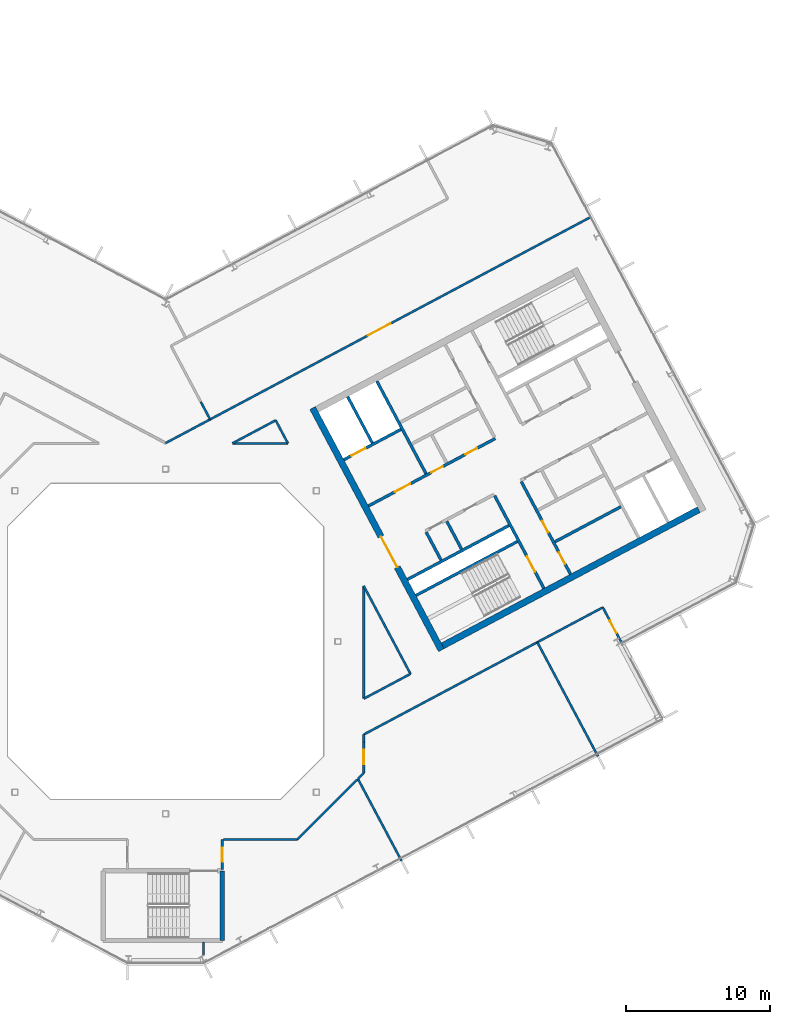
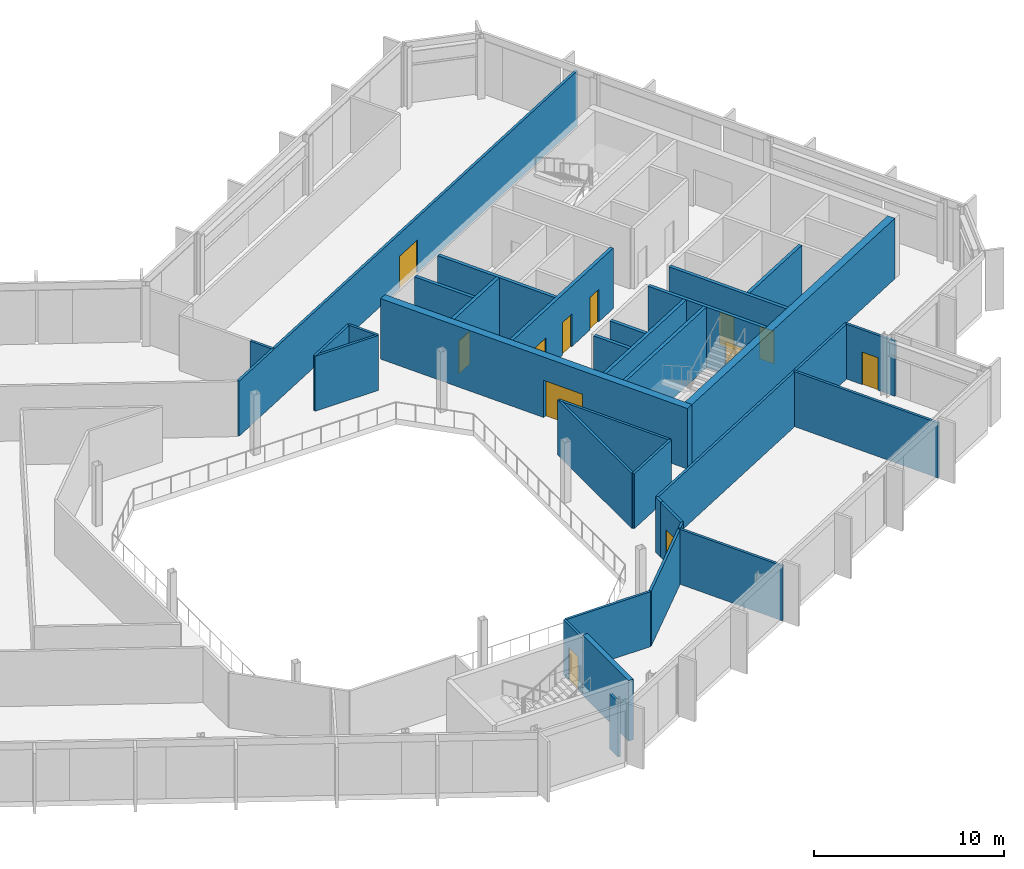
# One storey, part 15 of 25: 33 walls, 12 doors, 12 openings.
"""IFC4 building model written with IfcOpenShell, lengths in metres."""

from ifc_helpers import new_model, si_unit, direction, frame, frame_2d, origin, place, context, subcontext, project, spatial, rectangle, extrude, material, layer, layer_set, type_object, element, fill, save


model = new_model("IFC4")

# Units and contexts
model_context = context("Model", 3, precision=1e-05, world=origin(), true_north=direction((0.0, 1.0)))
body_context = subcontext(model_context, "Body", "Model", "MODEL_VIEW")
ifc_project = project(units=[si_unit("LENGTHUNIT", "METRE"), si_unit("AREAUNIT", "SQUARE_METRE"), si_unit("VOLUMEUNIT", "CUBIC_METRE"), si_unit("PLANEANGLEUNIT", "RADIAN"), si_unit("MASSUNIT", "GRAM", prefix="KILO")], contexts=[model_context])

# Site, building, storey
site_placement = place(None, origin())
site = spatial("IfcSite", under=ifc_project, at=site_placement, CompositionType="ELEMENT")
building_placement = place(site_placement, origin())
building = spatial("IfcBuilding", under=site, at=building_placement, Name="Cormorant Relay Tower", CompositionType="ELEMENT")
storey_placement = place(building_placement, frame((0.0, 0.0, 273.60009765625)))
storey = spatial("IfcBuildingStorey", under=building, at=storey_placement, Name="L61", CompositionType="ELEMENT", Elevation=273.60009765625)

# Walls
ifc_material_1 = material(Name="Concrete 40 MPa", Category="concrete")
ifc_layer_1 = layer(ifc_material_1, 0.199951171875)
ifc_layer_set_1 = layer_set([ifc_layer_1], Name="Core internal wall 200")
wall_type_1 = type_object("IfcWallType", Name="Core internal wall 200", PredefinedType="SOLIDWALL", material=ifc_layer_set_1)
wall_1_placement = place(storey_placement, frame((20.614013671875, 6.430419921875, 0.0), z_axis=(0.0, 0.0, 1.0), x_axis=(-0.4694473164, 0.882960484464, 0.0)))
element("IfcWall", 1, at=wall_1_placement, inside=storey, type_object=wall_type_1, Name="L61 core B shaft and room wall", PredefinedType="SOLIDWALL", context=body_context, shape_type="SweptSolid", body=[
    extrude(rectangle(XDim=2.199951171875, YDim=0.199951171875, at=frame_2d((1.10009765625, 0.0))), origin(), (0.0, 0.0, 1.0), 3.89990234375),
])
wall_2_placement = place(storey_placement, frame((27.11474609375, 6.942138671875, 0.0), z_axis=(0.0, 0.0, 1.0), x_axis=(0.882934506056, 0.469496174655, 0.0)))
element("IfcWall", 2, at=wall_2_placement, inside=storey, type_object=wall_type_1, Name="L61 core B shaft and room wall", PredefinedType="SOLIDWALL", context=body_context, shape_type="SweptSolid", body=[
    extrude(rectangle(XDim=5.199951171875, YDim=0.199951171875, at=frame_2d((2.60009765625, 0.0))), origin(), (0.0, 0.0, 1.0), 3.89990234375),
])
ifc_material_2 = material(Name="Concrete 50 MPa", Category="concrete")
ifc_layer_2 = layer(ifc_material_2, 0.199951171875)
ifc_layer_set_2 = layer_set([ifc_layer_2], Name="Core shaft wall 200")
wall_type_2 = type_object("IfcWallType", Name="Core shaft wall 200", PredefinedType="SHEAR", material=ifc_layer_set_2)
wall_3_placement = place(storey_placement, frame((14.39404296875, 13.825927734375, 0.0), z_axis=(0.0, 0.0, 1.0), x_axis=(-0.469494272526, 0.882935517501, 0.0)))
element("IfcWall", 3, at=wall_3_placement, inside=storey, type_object=wall_type_2, Name="L61 core B shaft wall", PredefinedType="SHEAR", context=body_context, shape_type="SweptSolid", body=[
    extrude(rectangle(XDim=3.64990234375, YDim=0.199951171875, at=frame_2d((1.824951171875, 0.0))), origin(), (0.0, 0.0, 1.0), 3.89990234375),
])
wall_4_placement = place(storey_placement, frame((19.18359375, 5.669921875, 0.0), z_axis=(0.0, 0.0, 1.0), x_axis=(-0.4694473164, 0.882960484464, 0.0)))
element("IfcWall", 4, at=wall_4_placement, inside=storey, type_object=wall_type_2, Name="L61 core B shaft wall", PredefinedType="SHEAR", context=body_context, shape_type="SweptSolid", body=[
    extrude(rectangle(XDim=2.199951171875, YDim=0.199951171875, at=frame_2d((1.10009765625, 0.0))), origin(), (0.0, 0.0, 1.0), 3.89990234375),
])
wall_5_placement = place(storey_placement, frame((18.138427734375, 11.682861328125, 0.0), z_axis=(0.0, 0.0, 1.0), x_axis=(-0.469480409012, 0.88294288918, 0.0)))
element("IfcWall", 5, at=wall_5_placement, inside=storey, type_object=wall_type_2, Name="L61 core B shaft wall", PredefinedType="SHEAR", context=body_context, shape_type="SweptSolid", body=[
    extrude(rectangle(XDim=7.300048828125, YDim=0.199951171875, at=frame_2d((3.64990234375, 0.0))), origin(), (0.0, 0.0, 1.0), 3.89990234375),
])

# Wall, opening, door
wall_6_placement = place(storey_placement, frame((26.345947265625, 3.701904296875, 0.0), z_axis=(0.0, 0.0, 1.0), x_axis=(-0.469480409012, 0.88294288918, 0.0)))
wall_6 = element("IfcWall", 6, at=wall_6_placement, inside=storey, type_object=wall_type_2, Name="L61 core B shaft wall", PredefinedType="SHEAR", context=body_context, shape_type="SweptSolid", body=[
    extrude(rectangle(XDim=7.300048828125, YDim=0.199951171875, at=frame_2d((3.64990234375, 0.0))), origin(), (0.0, 0.0, 1.0), 3.89990234375),
])
opening_1_placement = place(wall_6_placement, frame((1.300048828125, 0.0, 0.0)))
opening_1 = element("IfcOpeningElement", 7, at=opening_1_placement, cuts=wall_6, Name="Opening CDB-040", PredefinedType="OPENING", context=body_context, shape_type="SweptSolid", body=[
    extrude(rectangle(XDim=1.199951171875, YDim=2.10009765625, at=frame_2d((0.60009765625, 1.050048828125))), frame((0.0, 0.10986328125, 0.0), z_axis=(0.0, -1.0, 0.0), x_axis=(1.0, 0.0, 0.0)), (0.0, 0.0, 1.0), 0.219970703125),
])
ifc_material_3 = material(Name="Steel fire door", Category="steel")
door_type_1 = type_object("IfcDoorType", Name="Core stair door 1200x2100", OperationType="SINGLE_SWING_LEFT", PredefinedType="DOOR", material=ifc_material_3)
door_1_placement = place(opening_1_placement, origin())
door_1 = element("IfcDoor", 8, at=door_1_placement, inside=storey, type_object=door_type_1, Name="Core stair door 1200x2100", OperationType="SINGLE_SWING_RIGHT", OverallHeight=2.10009765625, OverallWidth=1.199951171875, PredefinedType="DOOR", context=body_context, shape_type="SweptSolid", body=[
    extrude(rectangle(XDim=1.199951171875, YDim=2.10009765625, at=frame_2d((0.60009765625, 1.050048828125))), frame((0.0, 0.02490234375, 0.0), z_axis=(0.0, -1.0, 0.0), x_axis=(1.0, 0.0, 0.0)), (0.0, 0.0, 1.0), 0.050048828125),
])
fill(opening_1, door_1)

# Wall, openings, doors
wall_7_placement = place(storey_placement, frame((28.199951171875, 4.687744140625, 0.0), z_axis=(0.0, 0.0, 1.0), x_axis=(-0.469454336211, 0.882956752176, 0.0)))
wall_7 = element("IfcWall", 9, at=wall_7_placement, inside=storey, type_object=wall_type_2, Name="L61 core B shaft wall", PredefinedType="SHEAR", context=body_context, shape_type="SweptSolid", body=[
    extrude(rectangle(XDim=7.300048828125, YDim=0.199951171875, at=frame_2d((3.64990234375, 0.0))), origin(), (0.0, 0.0, 1.0), 3.89990234375),
])
opening_2_placement = place(wall_7_placement, frame((0.800048828125, 0.0, 0.0)))
opening_2 = element("IfcOpeningElement", 10, at=opening_2_placement, cuts=wall_7, Name="Opening CDD-286", PredefinedType="OPENING", context=body_context, shape_type="SweptSolid", body=[
    extrude(rectangle(XDim=0.89990234375, YDim=2.10009765625, at=frame_2d((0.449951171875, 1.050048828125))), frame((0.0, 0.10986328125, 0.0), z_axis=(0.0, -1.0, 0.0), x_axis=(1.0, 0.0, 0.0)), (0.0, 0.0, 1.0), 0.219970703125),
])
opening_3_placement = place(wall_7_placement, frame((3.300048828125, 0.0, 0.0)))
opening_3 = element("IfcOpeningElement", 11, at=opening_3_placement, cuts=wall_7, Name="Opening CDD-287", PredefinedType="OPENING", context=body_context, shape_type="SweptSolid", body=[
    extrude(rectangle(XDim=0.89990234375, YDim=2.10009765625, at=frame_2d((0.449951171875, 1.050048828125))), frame((0.0, 0.10986328125, 0.0), z_axis=(0.0, -1.0, 0.0), x_axis=(1.0, 0.0, 0.0)), (0.0, 0.0, 1.0), 0.219970703125),
])
ifc_material_4 = material(Name="Steel fire door", Category="steel")
door_type_2 = type_object("IfcDoorType", Name="Core room door 900x2100", OperationType="SINGLE_SWING_LEFT", PredefinedType="DOOR", material=ifc_material_4)
door_2_placement = place(opening_2_placement, frame((0.89990234375, 0.0, 0.0), z_axis=(0.0, 0.0, 1.0), x_axis=(-1.0, 0.0, 0.0)))
door_2 = element("IfcDoor", 12, at=door_2_placement, inside=storey, type_object=door_type_2, Name="Core room door 900x2100", OperationType="SINGLE_SWING_LEFT", OverallHeight=2.10009765625, OverallWidth=0.89990234375, PredefinedType="DOOR", context=body_context, shape_type="SweptSolid", body=[
    extrude(rectangle(XDim=0.89990234375, YDim=2.10009765625, at=frame_2d((0.449951171875, 1.050048828125))), frame((0.0, 0.02490234375, 0.0), z_axis=(0.0, -1.0, 0.0), x_axis=(1.0, 0.0, 0.0)), (0.0, 0.0, 1.0), 0.050048828125),
])
fill(opening_2, door_2)
door_3_placement = place(opening_3_placement, frame((0.89990234375, 0.0, 0.0), z_axis=(0.0, 0.0, 1.0), x_axis=(-1.0, 0.0, 0.0)))
door_3 = element("IfcDoor", 13, at=door_3_placement, inside=storey, type_object=door_type_2, Name="Core room door 900x2100", OperationType="SINGLE_SWING_LEFT", OverallHeight=2.10009765625, OverallWidth=0.89990234375, PredefinedType="DOOR", context=body_context, shape_type="SweptSolid", body=[
    extrude(rectangle(XDim=0.89990234375, YDim=2.10009765625, at=frame_2d((0.449951171875, 1.050048828125))), frame((0.0, 0.02490234375, 0.0), z_axis=(0.0, -1.0, 0.0), x_axis=(1.0, 0.0, 0.0)), (0.0, 0.0, 1.0), 0.050048828125),
])
fill(opening_3, door_3)

# Walls
for number, where, z_axis, x_axis, name in (
    (14, (17.43359375, 3.210205078125, 0.0), (0.0, 0.0, 1.0), (0.882940221191, 0.469485426614, 0.0), "L61 core B shaft wall"),
    (15, (16.8466796875, 4.31396484375, 0.0), (0.0, 0.0, 1.0), (0.882940221191, 0.469485426614, 0.0), "L61 core B shaft wall"),
):
    element("IfcWall", number, at=place(storey_placement, frame(where, z_axis=z_axis, x_axis=x_axis)), inside=storey, type_object=wall_type_2, Name=name, PredefinedType="SHEAR", context=body_context, shape_type="SweptSolid", body=[
        extrude(rectangle(XDim=8.0, YDim=0.199951171875, at=frame_2d((4.0, 0.0))), origin(), (0.0, 0.0, 1.0), 3.89990234375),
    ])

# Wall, openings, doors
wall_8_placement = place(storey_placement, frame((14.123779296875, 9.43505859375, 0.0), z_axis=(0.0, 0.0, 1.0), x_axis=(0.882940221191, 0.469485426614, 0.0)))
wall_8 = element("IfcWall", 16, at=wall_8_placement, inside=storey, type_object=wall_type_2, Name="L61 core B shaft wall", PredefinedType="SHEAR", context=body_context, shape_type="SweptSolid", body=[
    extrude(rectangle(XDim=10.0, YDim=0.199951171875, at=frame_2d((5.0, 0.0))), origin(), (0.0, 0.0, 1.0), 3.89990234375),
])
opening_4_placement = place(wall_8_placement, frame((2.10009765625, 0.0, 0.0)))
opening_4 = element("IfcOpeningElement", 17, at=opening_4_placement, cuts=wall_8, Name="Opening CDC-037", PredefinedType="OPENING", context=body_context, shape_type="SweptSolid", body=[
    extrude(rectangle(XDim=1.199951171875, YDim=2.10009765625, at=frame_2d((0.60009765625, 1.050048828125))), frame((0.0, 0.10986328125, 0.0), z_axis=(0.0, -1.0, 0.0), x_axis=(1.0, 0.0, 0.0)), (0.0, 0.0, 1.0), 0.219970703125),
])
opening_5_placement = place(wall_8_placement, frame((4.9599609375, 0.0, 0.0)))
opening_5 = element("IfcOpeningElement", 18, at=opening_5_placement, cuts=wall_8, Name="Opening CDD-241", PredefinedType="OPENING", context=body_context, shape_type="SweptSolid", body=[
    extrude(rectangle(XDim=0.89990234375, YDim=2.10009765625, at=frame_2d((0.449951171875, 1.050048828125))), frame((0.0, 0.10986328125, 0.0), z_axis=(0.0, -1.0, 0.0), x_axis=(1.0, 0.0, 0.0)), (0.0, 0.0, 1.0), 0.219970703125),
])
opening_6_placement = place(wall_8_placement, frame((7.659912109375, 0.0, 0.0)))
opening_6 = element("IfcOpeningElement", 19, at=opening_6_placement, cuts=wall_8, Name="Opening CDD-242", PredefinedType="OPENING", context=body_context, shape_type="SweptSolid", body=[
    extrude(rectangle(XDim=0.89990234375, YDim=2.10009765625, at=frame_2d((0.449951171875, 1.050048828125))), frame((0.0, 0.10986328125, 0.0), z_axis=(0.0, -1.0, 0.0), x_axis=(1.0, 0.0, 0.0)), (0.0, 0.0, 1.0), 0.219970703125),
])
ifc_material_5 = material(Name="Steel fire door", Category="steel")
door_type_3 = type_object("IfcDoorType", Name="Core lobby door 1200x2100", OperationType="SINGLE_SWING_LEFT", PredefinedType="DOOR", material=ifc_material_5)
door_4_placement = place(opening_4_placement, origin())
door_4 = element("IfcDoor", 20, at=door_4_placement, inside=storey, type_object=door_type_3, Name="Core lobby door 1200x2100", OperationType="SINGLE_SWING_RIGHT", OverallHeight=2.10009765625, OverallWidth=1.199951171875, PredefinedType="DOOR", context=body_context, shape_type="SweptSolid", body=[
    extrude(rectangle(XDim=1.199951171875, YDim=2.10009765625, at=frame_2d((0.60009765625, 1.050048828125))), frame((0.0, 0.02490234375, 0.0), z_axis=(0.0, -1.0, 0.0), x_axis=(1.0, 0.0, 0.0)), (0.0, 0.0, 1.0), 0.050048828125),
])
fill(opening_4, door_4)
door_5_placement = place(opening_5_placement, frame((0.89990234375, 0.0, 0.0), z_axis=(0.0, 0.0, 1.0), x_axis=(-1.0, 0.0, 0.0)))
door_5 = element("IfcDoor", 21, at=door_5_placement, inside=storey, type_object=door_type_2, Name="Core room door 900x2100", OperationType="SINGLE_SWING_RIGHT", OverallHeight=2.10009765625, OverallWidth=0.89990234375, PredefinedType="DOOR", context=body_context, shape_type="SweptSolid", body=[
    extrude(rectangle(XDim=0.89990234375, YDim=2.10009765625, at=frame_2d((0.449951171875, 1.050048828125))), frame((0.0, 0.02490234375, 0.0), z_axis=(0.0, -1.0, 0.0), x_axis=(1.0, 0.0, 0.0)), (0.0, 0.0, 1.0), 0.050048828125),
])
fill(opening_5, door_5)
door_6_placement = place(opening_6_placement, frame((0.89990234375, 0.0, 0.0), z_axis=(0.0, 0.0, 1.0), x_axis=(-1.0, 0.0, 0.0)))
door_6 = element("IfcDoor", 22, at=door_6_placement, inside=storey, type_object=door_type_2, Name="Core room door 900x2100", OperationType="SINGLE_SWING_RIGHT", OverallHeight=2.10009765625, OverallWidth=0.89990234375, PredefinedType="DOOR", context=body_context, shape_type="SweptSolid", body=[
    extrude(rectangle(XDim=0.89990234375, YDim=2.10009765625, at=frame_2d((0.449951171875, 1.050048828125))), frame((0.0, 0.02490234375, 0.0), z_axis=(0.0, -1.0, 0.0), x_axis=(1.0, 0.0, 0.0)), (0.0, 0.0, 1.0), 0.050048828125),
])
fill(opening_6, door_6)

# Wall, opening, door
wall_9_placement = place(storey_placement, frame((12.41015625, 12.657958984375, 0.0), z_axis=(0.0, 0.0, 1.0), x_axis=(0.8829484765, 0.469469900894, 0.0)))
wall_9 = element("IfcWall", 23, at=wall_9_placement, inside=storey, type_object=wall_type_2, Name="L61 core B shaft wall", PredefinedType="SHEAR", context=body_context, shape_type="SweptSolid", body=[
    extrude(rectangle(XDim=4.499755859375, YDim=0.199951171875, at=frame_2d((2.25, 0.0))), origin(), (0.0, 0.0, 1.0), 3.89990234375),
])
opening_7_placement = place(wall_9_placement, frame((0.60009765625, 0.0, 0.0)))
opening_7 = element("IfcOpeningElement", 24, at=opening_7_placement, cuts=wall_9, Name="Opening LD1-064", PredefinedType="OPENING", context=body_context, shape_type="SweptSolid", body=[
    extrude(rectangle(XDim=1.10009765625, YDim=2.10009765625, at=frame_2d((0.550048828125, 1.050048828125))), frame((0.0, 0.10986328125, 0.0), z_axis=(0.0, -1.0, 0.0), x_axis=(1.0, 0.0, 0.0)), (0.0, 0.0, 1.0), 0.219970703125),
])
ifc_material_6 = material(Name="Stainless steel 316", Category="steel")
door_type_4 = type_object("IfcDoorType", Name="Lift landing door 1100x2100", OperationType="DOUBLE_DOOR_SLIDING", PredefinedType="DOOR", material=ifc_material_6)
door_7_placement = place(opening_7_placement, origin())
door_7 = element("IfcDoor", 25, at=door_7_placement, inside=storey, type_object=door_type_4, Name="FF2 landing door", OperationType="DOUBLE_DOOR_SLIDING", OverallHeight=2.10009765625, OverallWidth=1.10009765625, PredefinedType="DOOR", context=body_context, shape_type="SweptSolid", body=[
    extrude(rectangle(XDim=1.10009765625, YDim=2.10009765625, at=frame_2d((0.550048828125, 1.050048828125))), frame((0.0, 0.02490234375, 0.0), z_axis=(0.0, -1.0, 0.0), x_axis=(1.0, 0.0, 0.0)), (0.0, 0.0, 1.0), 0.050048828125),
])
fill(opening_7, door_7)

ifc_material_7 = material(Name="Concrete 50 MPa", Category="concrete")
ifc_layer_3 = layer(ifc_material_7, 0.449951171875)
ifc_layer_set_3 = layer_set([ifc_layer_3], Name="Core wall 450")
wall_type_3 = type_object("IfcWallType", Name="Core wall 450", PredefinedType="SHEAR", material=ifc_layer_set_3)
wall_10_placement = place(storey_placement, frame((19.20654296875, -0.603759765625, 0.0), z_axis=(0.0, 0.0, 1.0), x_axis=(-0.469467968382, 0.882949504028, 0.0)))
wall_10 = element("IfcWall", 26, at=wall_10_placement, inside=storey, type_object=wall_type_3, Name="L61 core B wall", PredefinedType="SHEAR", context=body_context, shape_type="SweptSolid", body=[
    extrude(rectangle(XDim=19.099853515625, YDim=0.449951171875, at=frame_2d((9.5498046875, 0.0))), origin(), (0.0, 0.0, 1.0), 3.89990234375),
])
opening_8_placement = place(wall_10_placement, frame((6.550048828125, 0.0, 0.0)))
opening_8 = element("IfcOpeningElement", 27, at=opening_8_placement, cuts=wall_10, Name="Opening CDA-052", PredefinedType="OPENING", context=body_context, shape_type="SweptSolid", body=[
    extrude(rectangle(XDim=2.39990234375, YDim=2.39990234375, at=frame_2d((1.199951171875, 1.199951171875))), frame((0.0, 0.23486328125, 0.0), z_axis=(0.0, -1.0, 0.0), x_axis=(1.0, 0.0, 0.0)), (0.0, 0.0, 1.0), 0.469970703125),
])
ifc_material_8 = material(Name="Steel fire door", Category="steel")
door_type_5 = type_object("IfcDoorType", Name="Core lobby door 2400x2400", OperationType="DOUBLE_DOOR_SINGLE_SWING", PredefinedType="DOOR", material=ifc_material_8)
door_8_placement = place(opening_8_placement, frame((2.39990234375, 0.0, 0.0), z_axis=(0.0, 0.0, 1.0), x_axis=(-1.0, 0.0, 0.0)))
door_8 = element("IfcDoor", 28, at=door_8_placement, inside=storey, type_object=door_type_5, Name="Core lobby door 2400x2400", OperationType="DOUBLE_DOOR_SINGLE_SWING", OverallHeight=2.39990234375, OverallWidth=2.39990234375, PredefinedType="DOOR", context=body_context, shape_type="SweptSolid", body=[
    extrude(rectangle(XDim=2.39990234375, YDim=2.39990234375, at=frame_2d((1.199951171875, 1.199951171875))), frame((0.0, 0.02490234375, 0.0), z_axis=(0.0, -1.0, 0.0), x_axis=(1.0, 0.0, 0.0)), (0.0, 0.0, 1.0), 0.050048828125),
])
fill(opening_8, door_8)

# Wall
wall_11_placement = place(storey_placement, frame((19.299560546875, -0.29931640625, 0.0), z_axis=(0.0, 0.0, 1.0), x_axis=(0.88295276571, 0.46946183394, 0.0)))
element("IfcWall", 29, at=wall_11_placement, inside=storey, type_object=wall_type_3, Name="L61 core B wall", PredefinedType="SHEAR", context=body_context, shape_type="SweptSolid", body=[
    extrude(rectangle(XDim=20.199951171875, YDim=0.449951171875, at=frame_2d((10.10009765625, 0.0))), origin(), (0.0, 0.0, 1.0), 3.89990234375),
])

# Wall, opening, door
ifc_material_9 = material(Name="Gypsum board fire partition")
ifc_layer_4 = layer(ifc_material_9, 0.14990234375)
ifc_layer_set_4 = layer_set([ifc_layer_4], Name="Corridor partition 150 EI 60")
wall_type_4 = type_object("IfcWallType", Name="Corridor partition 150 EI 60", PredefinedType="PARTITIONING", material=ifc_layer_set_4)
wall_12_placement = place(storey_placement, frame((0.0, 13.81689453125, 0.0), z_axis=(0.0, 0.0, 1.0), x_axis=(0.882939200239, 0.469487346668, 0.0)))
wall_12 = element("IfcWall", 30, at=wall_12_placement, inside=storey, type_object=wall_type_4, Name="wall/L61/part/009", PredefinedType="PARTITIONING", context=body_context, shape_type="SweptSolid", body=[
    extrude(rectangle(XDim=33.713623046875, YDim=0.14990234375, at=frame_2d((16.85693359375, 0.0))), origin(), (0.0, 0.0, 1.0), 3.539794921875),
])
opening_9_placement = place(wall_12_placement, frame((15.949951171875, 0.0, 0.0)))
opening_9 = element("IfcOpeningElement", 31, at=opening_9_placement, cuts=wall_12, Name="Opening DD-038", PredefinedType="OPENING", context=body_context, shape_type="SweptSolid", body=[
    extrude(rectangle(XDim=1.800048828125, YDim=2.10009765625, at=frame_2d((0.89990234375, 1.050048828125))), frame((0.0, 0.0849609375, 0.0), z_axis=(0.0, -1.0, 0.0), x_axis=(1.0, 0.0, 0.0)), (0.0, 0.0, 1.0), 0.169921875),
])
ifc_material_10 = material(Name="Timber door leaf", Category="wood")
door_type_6 = type_object("IfcDoorType", Name="Suite double door 1800x2100", OperationType="DOUBLE_DOOR_SINGLE_SWING", PredefinedType="DOOR", material=ifc_material_10)
door_9_placement = place(opening_9_placement, origin())
door_9 = element("IfcDoor", 32, at=door_9_placement, inside=storey, type_object=door_type_6, Name="door/L61/012", OperationType="DOUBLE_DOOR_SINGLE_SWING", OverallHeight=2.10009765625, OverallWidth=1.800048828125, PredefinedType="DOOR", context=body_context, shape_type="SweptSolid", body=[
    extrude(rectangle(XDim=1.800048828125, YDim=2.10009765625, at=frame_2d((0.89990234375, 1.050048828125))), frame((0.0, 0.02490234375, 0.0), z_axis=(0.0, -1.0, 0.0), x_axis=(1.0, 0.0, 0.0)), (0.0, 0.0, 1.0), 0.050048828125),
])
fill(opening_9, door_9)

wall_13_placement = place(storey_placement, frame((3.949951171875, -13.800048828125, 0.0), z_axis=(0.0, 0.0, 1.0), x_axis=(0.0, -1.0, 0.0)))
wall_13 = element("IfcWall", 33, at=wall_13_placement, inside=storey, type_object=wall_type_4, Name="wall/L61/part/033", PredefinedType="PARTITIONING", context=body_context, shape_type="SweptSolid", body=[
    extrude(rectangle(XDim=2.074951171875, YDim=0.14990234375, at=frame_2d((1.03759765625, 0.0))), origin(), (0.0, 0.0, 1.0), 3.539794921875),
])
opening_10_placement = place(wall_13_placement, frame((0.550048828125, 0.0, 0.0)))
opening_10 = element("IfcOpeningElement", 34, at=opening_10_placement, cuts=wall_13, Name="Opening DS-107", PredefinedType="OPENING", context=body_context, shape_type="SweptSolid", body=[
    extrude(rectangle(XDim=1.0, YDim=2.10009765625, at=frame_2d((0.5, 1.050048828125))), frame((0.0, 0.0849609375, 0.0), z_axis=(0.0, -1.0, 0.0), x_axis=(1.0, 0.0, 0.0)), (0.0, 0.0, 1.0), 0.169921875),
])
ifc_material_11 = material(Name="Timber door leaf", Category="wood")
door_type_7 = type_object("IfcDoorType", Name="Suite door 1000x2100", OperationType="SINGLE_SWING_LEFT", PredefinedType="DOOR", material=ifc_material_11)
door_10_placement = place(opening_10_placement, origin())
door_10 = element("IfcDoor", 35, at=door_10_placement, inside=storey, type_object=door_type_7, Name="door/L61/005", OperationType="SINGLE_SWING_LEFT", OverallHeight=2.10009765625, OverallWidth=1.0, PredefinedType="DOOR", context=body_context, shape_type="SweptSolid", body=[
    extrude(rectangle(XDim=1.0, YDim=2.10009765625, at=frame_2d((0.5, 1.050048828125))), frame((0.0, 0.02490234375, 0.0), z_axis=(0.0, -1.0, 0.0), x_axis=(1.0, 0.0, 0.0)), (0.0, 0.0, 1.0), 0.050048828125),
])
fill(opening_10, door_10)

# Walls
wall_14_placement = place(storey_placement, frame((13.3310546875, -9.62890625, 0.0), z_axis=(0.0, 0.0, 1.0), x_axis=(-0.707106781187, -0.707106781187, 0.0)))
element("IfcWall", 36, at=wall_14_placement, inside=storey, type_object=wall_type_4, Name="wall/L61/part/034", PredefinedType="PARTITIONING", context=body_context, shape_type="SweptSolid", body=[
    extrude(rectangle(XDim=5.89892578125, YDim=0.14990234375, at=frame_2d((2.949462890625, 0.0))), origin(), (0.0, 0.0, 1.0), 3.539794921875),
])
wall_15_placement = place(storey_placement, frame((9.159912109375, -13.800048828125, 0.0), z_axis=(0.0, 0.0, 1.0), x_axis=(-1.0, 0.0, 0.0)))
element("IfcWall", 37, at=wall_15_placement, inside=storey, type_object=wall_type_4, Name="wall/L61/part/035", PredefinedType="PARTITIONING", context=body_context, shape_type="SweptSolid", body=[
    extrude(rectangle(XDim=5.135009765625, YDim=0.14990234375, at=frame_2d((2.5673828125, 0.0))), origin(), (0.0, 0.0, 1.0), 3.539794921875),
])

# Wall, opening, door
wall_16_placement = place(storey_placement, frame((13.800048828125, -7.006103515625, 0.0), z_axis=(0.0, 0.0, 1.0), x_axis=(0.0, -1.0, 0.0)))
wall_16 = element("IfcWall", 38, at=wall_16_placement, inside=storey, type_object=wall_type_4, Name="wall/L61/part/037", PredefinedType="PARTITIONING", context=body_context, shape_type="SweptSolid", body=[
    extrude(rectangle(XDim=2.15380859375, YDim=0.14990234375, at=frame_2d((1.076904296875, 0.0))), origin(), (0.0, 0.0, 1.0), 3.539794921875),
])
opening_11_placement = place(wall_16_placement, frame((0.550048828125, 0.0, 0.0)))
opening_11 = element("IfcOpeningElement", 39, at=opening_11_placement, cuts=wall_16, Name="Opening DS-213", PredefinedType="OPENING", context=body_context, shape_type="SweptSolid", body=[
    extrude(rectangle(XDim=1.0, YDim=2.10009765625, at=frame_2d((0.5, 1.050048828125))), frame((0.0, 0.0849609375, 0.0), z_axis=(0.0, -1.0, 0.0), x_axis=(1.0, 0.0, 0.0)), (0.0, 0.0, 1.0), 0.169921875),
])
door_11_placement = place(opening_11_placement, origin())
door_11 = element("IfcDoor", 40, at=door_11_placement, inside=storey, type_object=door_type_7, Name="door/L61/006", OperationType="SINGLE_SWING_LEFT", OverallHeight=2.10009765625, OverallWidth=1.0, PredefinedType="DOOR", context=body_context, shape_type="SweptSolid", body=[
    extrude(rectangle(XDim=1.0, YDim=2.10009765625, at=frame_2d((0.5, 1.050048828125))), frame((0.0, 0.02490234375, 0.0), z_axis=(0.0, -1.0, 0.0), x_axis=(1.0, 0.0, 0.0)), (0.0, 0.0, 1.0), 0.050048828125),
])
fill(opening_11, door_11)

# Walls
wall_17_placement = place(storey_placement, frame((13.39501953125, -9.56494140625, 0.0), z_axis=(0.0, 0.0, 1.0), x_axis=(0.706254846232, 0.707957690949, 0.0)))
element("IfcWall", 41, at=wall_17_placement, inside=storey, type_object=wall_type_4, Name="wall/L61/part/038", PredefinedType="PARTITIONING", context=body_context, shape_type="SweptSolid", body=[
    extrude(rectangle(XDim=0.573486328125, YDim=0.14990234375, at=frame_2d((0.28662109375, 0.0))), origin(), (0.0, 0.0, 1.0), 3.539794921875),
])
wall_18_placement = place(storey_placement, frame((13.800048828125, -7.006103515625, 0.0), z_axis=(0.0, 0.0, 1.0), x_axis=(0.0, 1.0, 0.0)))
element("IfcWall", 42, at=wall_18_placement, inside=storey, type_object=wall_type_4, Name="wall/L61/part/039", PredefinedType="PARTITIONING", context=body_context, shape_type="SweptSolid", body=[
    extrude(rectangle(XDim=0.526123046875, YDim=0.14990234375, at=frame_2d((0.26318359375, 0.0))), origin(), (0.0, 0.0, 1.0), 3.539794921875),
])

# Wall, opening, door
wall_19_placement = place(storey_placement, frame((31.89697265625, -0.346923828125, 0.0), z_axis=(0.0, 0.0, 1.0), x_axis=(-0.469670796129, 0.882841629775, 0.0)))
wall_19 = element("IfcWall", 43, at=wall_19_placement, inside=storey, type_object=wall_type_4, Name="wall/L61/part/041", PredefinedType="PARTITIONING", context=body_context, shape_type="SweptSolid", body=[
    extrude(rectangle(XDim=3.080810546875, YDim=0.14990234375, at=frame_2d((1.54052734375, 0.0))), origin(), (0.0, 0.0, 1.0), 3.539794921875),
])
opening_12_placement = place(wall_19_placement, frame((1.050048828125, 0.0, 0.0)))
opening_12 = element("IfcOpeningElement", 44, at=opening_12_placement, cuts=wall_19, Name="Opening DS-214", PredefinedType="OPENING", context=body_context, shape_type="SweptSolid", body=[
    extrude(rectangle(XDim=1.0, YDim=2.10009765625, at=frame_2d((0.5, 1.050048828125))), frame((0.0, 0.0849609375, 0.0), z_axis=(0.0, -1.0, 0.0), x_axis=(1.0, 0.0, 0.0)), (0.0, 0.0, 1.0), 0.169921875),
])
door_12_placement = place(opening_12_placement, origin())
door_12 = element("IfcDoor", 45, at=door_12_placement, inside=storey, type_object=door_type_7, Name="door/L61/007", OperationType="SINGLE_SWING_LEFT", OverallHeight=2.10009765625, OverallWidth=1.0, PredefinedType="DOOR", context=body_context, shape_type="SweptSolid", body=[
    extrude(rectangle(XDim=1.0, YDim=2.10009765625, at=frame_2d((0.5, 1.050048828125))), frame((0.0, 0.02490234375, 0.0), z_axis=(0.0, -1.0, 0.0), x_axis=(1.0, 0.0, 0.0)), (0.0, 0.0, 1.0), 0.050048828125),
])
fill(opening_12, door_12)

# Walls
wall_20_placement = place(storey_placement, frame((30.449951171875, 2.373046875, 0.0), z_axis=(0.0, 0.0, 1.0), x_axis=(-0.882945015872, -0.46947640936, 0.0)))
element("IfcWall", 46, at=wall_20_placement, inside=storey, type_object=wall_type_4, Name="wall/L61/part/042", PredefinedType="PARTITIONING", context=body_context, shape_type="SweptSolid", body=[
    extrude(rectangle(XDim=18.857177734375, YDim=0.14990234375, at=frame_2d((9.4287109375, 0.0))), origin(), (0.0, 0.0, 1.0), 3.539794921875),
])
wall_21_placement = place(storey_placement, frame((7.6669921875, 15.402099609375, 0.0), z_axis=(0.0, 0.0, 1.0), x_axis=(-0.883005489543, -0.469362658759, 0.0)))
element("IfcWall", 47, at=wall_21_placement, inside=storey, type_object=wall_type_4, Name="wall/L61/part/052", PredefinedType="PARTITIONING", context=body_context, shape_type="SweptSolid", body=[
    extrude(rectangle(XDim=3.413330078125, YDim=0.14990234375, at=frame_2d((1.70654296875, 0.0))), origin(), (0.0, 0.0, 1.0), 3.539794921875),
])
wall_22_placement = place(storey_placement, frame((4.653076171875, 13.800048828125, 0.0), z_axis=(0.0, 0.0, 1.0), x_axis=(1.0, 0.0, 0.0)))
element("IfcWall", 48, at=wall_22_placement, inside=storey, type_object=wall_type_4, Name="wall/L61/part/053", PredefinedType="PARTITIONING", context=body_context, shape_type="SweptSolid", body=[
    extrude(rectangle(XDim=3.864990234375, YDim=0.14990234375, at=frame_2d((1.9326171875, 0.0))), origin(), (0.0, 0.0, 1.0), 3.539794921875),
])
wall_23_placement = place(storey_placement, frame((8.51806640625, 13.800048828125, 0.0), z_axis=(0.0, 0.0, 1.0), x_axis=(-0.469148666032, 0.883119204389, 0.0)))
element("IfcWall", 49, at=wall_23_placement, inside=storey, type_object=wall_type_4, Name="wall/L61/part/054", PredefinedType="PARTITIONING", context=body_context, shape_type="SweptSolid", body=[
    extrude(rectangle(XDim=1.81396484375, YDim=0.14990234375, at=frame_2d((0.906982421875, 0.0))), origin(), (0.0, 0.0, 1.0), 3.539794921875),
])
wall_24_placement = place(storey_placement, frame((13.800048828125, -3.988037109375, 0.0), z_axis=(0.0, 0.0, 1.0), x_axis=(0.882971660552, 0.469426295239, 0.0)))
element("IfcWall", 50, at=wall_24_placement, inside=storey, type_object=wall_type_4, Name="wall/L61/part/055", PredefinedType="PARTITIONING", context=body_context, shape_type="SweptSolid", body=[
    extrude(rectangle(XDim=3.6875, YDim=0.14990234375, at=frame_2d((1.84375, 0.0))), origin(), (0.0, 0.0, 1.0), 3.539794921875),
])
wall_25_placement = place(storey_placement, frame((17.055908203125, -2.257080078125, 0.0), z_axis=(0.0, 0.0, 1.0), x_axis=(-0.469433160251, 0.882968010778, 0.0)))
element("IfcWall", 51, at=wall_25_placement, inside=storey, type_object=wall_type_4, Name="wall/L61/part/056", PredefinedType="PARTITIONING", context=body_context, shape_type="SweptSolid", body=[
    extrude(rectangle(XDim=6.935791015625, YDim=0.14990234375, at=frame_2d((3.4677734375, 0.0))), origin(), (0.0, 0.0, 1.0), 3.539794921875),
])
wall_26_placement = place(storey_placement, frame((13.800048828125, 3.866943359375, 0.0), z_axis=(0.0, 0.0, 1.0), x_axis=(0.0, -1.0, 0.0)))
element("IfcWall", 52, at=wall_26_placement, inside=storey, type_object=wall_type_4, Name="wall/L61/part/057", PredefinedType="PARTITIONING", context=body_context, shape_type="SweptSolid", body=[
    extrude(rectangle(XDim=7.85498046875, YDim=0.14990234375, at=frame_2d((3.927490234375, 0.0))), origin(), (0.0, 0.0, 1.0), 3.539794921875),
])
ifc_material_12 = material(Name="Concrete 50 MPa", Category="concrete")
ifc_layer_5 = layer(ifc_material_12, 0.300048828125)
ifc_layer_set_5 = layer_set([ifc_layer_5], Name="Remote stair wall 300")
wall_type_5 = type_object("IfcWallType", Name="Remote stair wall 300", PredefinedType="SHEAR", material=ifc_layer_set_5)
wall_27_placement = place(storey_placement, frame((3.949951171875, -15.97509765625, 0.0), z_axis=(0.0, 0.0, 1.0), x_axis=(0.0, -1.0, 0.0)))
element("IfcWall", 53, at=wall_27_placement, inside=storey, type_object=wall_type_5, Name="L61 exit stair RK1 wall", PredefinedType="SHEAR", context=body_context, shape_type="SweptSolid", body=[
    extrude(rectangle(XDim=4.849853515625, YDim=0.300048828125, at=frame_2d((2.4248046875, 0.0))), origin(), (0.0, 0.0, 1.0), 3.89990234375),
])
ifc_material_13 = material(Name="Gypsum board partition")
ifc_layer_6 = layer(ifc_material_13, 0.14990234375)
ifc_layer_set_6 = layer_set([ifc_layer_6], Name="Tenant partition 150")
wall_type_6 = type_object("IfcWallType", Name="Tenant partition 150", PredefinedType="PARTITIONING", material=ifc_layer_set_6)
wall_28_placement = place(storey_placement, frame((2.450927734375, 16.69091796875, 0.0), z_axis=(0.0, 0.0, 1.0), x_axis=(0.46968306716, -0.88283510149, 0.0)))
element("IfcWall", 54, at=wall_28_placement, inside=storey, type_object=wall_type_6, Name="wall/L61/part/020", PredefinedType="PARTITIONING", context=body_context, shape_type="SweptSolid", body=[
    extrude(rectangle(XDim=1.38623046875, YDim=0.14990234375, at=frame_2d((0.693115234375, 0.0))), origin(), (0.0, 0.0, 1.0), 3.539794921875),
])
wall_29_placement = place(storey_placement, frame((2.64892578125, -21.826904296875, 0.0), z_axis=(0.0, 0.0, 1.0), x_axis=(0.0, 1.0, 0.0)))
element("IfcWall", 55, at=wall_29_placement, inside=storey, type_object=wall_type_6, Name="wall/L61/part/032", PredefinedType="PARTITIONING", context=body_context, shape_type="SweptSolid", body=[
    extrude(rectangle(XDim=0.90185546875, YDim=0.14990234375, at=frame_2d((0.450927734375, 0.0))), origin(), (0.0, 0.0, 1.0), 3.539794921875),
])
wall_30_placement = place(storey_placement, frame((13.39306640625, -9.56689453125, 0.0), z_axis=(0.0, 0.0, 1.0), x_axis=(0.469578527863, -0.882890710207, 0.0)))
element("IfcWall", 56, at=wall_30_placement, inside=storey, type_object=wall_type_6, Name="wall/L61/part/036", PredefinedType="PARTITIONING", context=body_context, shape_type="SweptSolid", body=[
    extrude(rectangle(XDim=6.465087890625, YDim=0.14990234375, at=frame_2d((3.232421875, 0.0))), origin(), (0.0, 0.0, 1.0), 3.539794921875),
])
wall_31_placement = place(storey_placement, frame((25.888916015625, -0.052001953125, 0.0), z_axis=(0.0, 0.0, 1.0), x_axis=(0.469351570135, -0.883011383625, 0.0)))
element("IfcWall", 57, at=wall_31_placement, inside=storey, type_object=wall_type_6, Name="wall/L61/part/040", PredefinedType="PARTITIONING", context=body_context, shape_type="SweptSolid", body=[
    extrude(rectangle(XDim=9.0, YDim=0.14990234375, at=frame_2d((4.5, 0.0))), origin(), (0.0, 0.0, 1.0), 3.539794921875),
])

save(model, "model.ifc")
